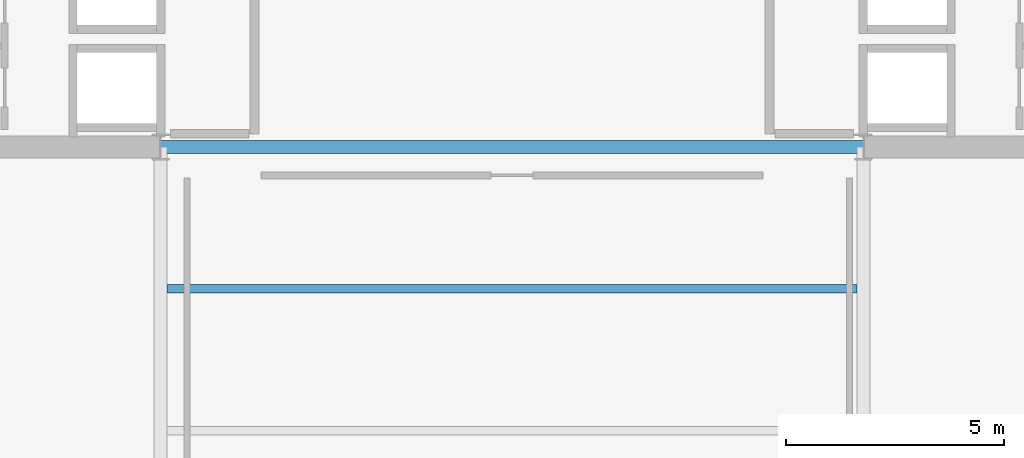
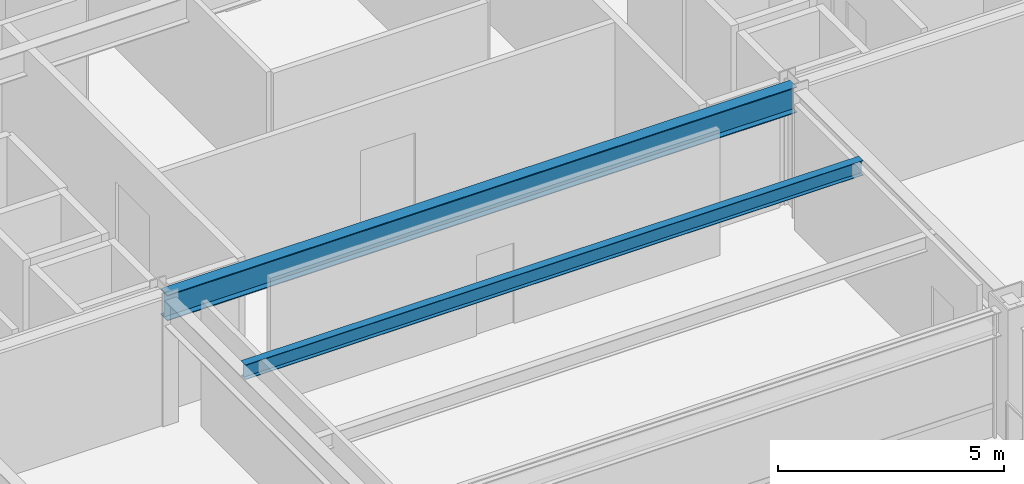
# One storey, part 9 of 34: 2 beams.
"""IFC4 building model written with IfcOpenShell, lengths in metres."""

from ifc_helpers import new_model, si_unit, direction, frame, origin, origin_2d, place, context, subcontext, project, spatial, i_section, extrude, material, material_profile, profile_set, type_object, element, save


model = new_model("IFC4")

# Units and contexts
model_context = context("Model", 3, precision=1e-05, world=origin(), true_north=direction((0.0, 1.0)))
body_context = subcontext(model_context, "Body", "Model", "MODEL_VIEW")
ifc_project = project(units=[si_unit("LENGTHUNIT", "METRE"), si_unit("AREAUNIT", "SQUARE_METRE"), si_unit("VOLUMEUNIT", "CUBIC_METRE"), si_unit("PLANEANGLEUNIT", "RADIAN"), si_unit("MASSUNIT", "GRAM", prefix="KILO")], contexts=[model_context])

# Site, building, storey
site_placement = place(None, origin())
site = spatial("IfcSite", under=ifc_project, at=site_placement, CompositionType="ELEMENT")
building_placement = place(site_placement, origin())
building = spatial("IfcBuilding", under=site, at=building_placement, Name="Brelmoor Portico Tower", CompositionType="ELEMENT")
storey_placement = place(building_placement, frame((0.0, 0.0, 99.0)))
storey = spatial("IfcBuildingStorey", under=building, at=storey_placement, Name="L25", CompositionType="ELEMENT", Elevation=99.0)

# Beams
ifc_material = material(Name="Steel Q355B", Category="steel")
ifc_material_profile_1 = material_profile(ifc_material, i_section(OverallWidth=0.199951171875, OverallDepth=0.39990234375, WebThickness=0.008056640625, FlangeThickness=0.012939453125, at=origin_2d()), Name="HN 400x200x8x13")
ifc_profile_set_1 = profile_set([ifc_material_profile_1], Name="Steel Q355B")
beam_type_1 = type_object("IfcBeamType", Name="BM-JS-400", PredefinedType="JOIST", material=ifc_profile_set_1)
beam_1_placement = place(storey_placement, frame((-7.89990234375, -13.0, 3.199951171875), z_axis=(1.0, 0.0, 0.0), x_axis=(0.0, 1.0, 0.0)))
element("IfcBeam", 1, at=beam_1_placement, inside=storey, type_object=beam_type_1, Name="L25 Secondary Composite Joist JS-C02", PredefinedType="JOIST", context=body_context, shape_type="SweptSolid", body=[
    extrude(i_section(OverallWidth=0.199951171875, OverallDepth=0.39990234375, WebThickness=0.008056640625, FlangeThickness=0.012939453125, at=origin_2d()), origin(), (0.0, 0.0, 1.0), 15.7998046875),
])
ifc_material_profile_2 = material_profile(ifc_material, i_section(OverallWidth=0.300048828125, OverallDepth=0.699951171875, WebThickness=0.012939453125, FlangeThickness=0.02392578125, at=origin_2d()), Name="HN 700x300x13x24")
ifc_profile_set_2 = profile_set([ifc_material_profile_2], Name="Steel Q355B")
beam_type_2 = type_object("IfcBeamType", Name="BM-PG-700", PredefinedType="BEAM", material=ifc_profile_set_2)
beam_2_placement = place(storey_placement, frame((-8.050048828125, -9.75, 3.050048828125), z_axis=(1.0, 0.0, 0.0), x_axis=(0.0, 1.0, 0.0)))
element("IfcBeam", 2, at=beam_2_placement, inside=storey, type_object=beam_type_2, Name="L25 Primary Floor Girder PG-16", PredefinedType="BEAM", context=body_context, shape_type="SweptSolid", body=[
    extrude(i_section(OverallWidth=0.300048828125, OverallDepth=0.699951171875, WebThickness=0.012939453125, FlangeThickness=0.02392578125, at=origin_2d()), origin(), (0.0, 0.0, 1.0), 16.10009765625),
])

save(model, "model.ifc")
